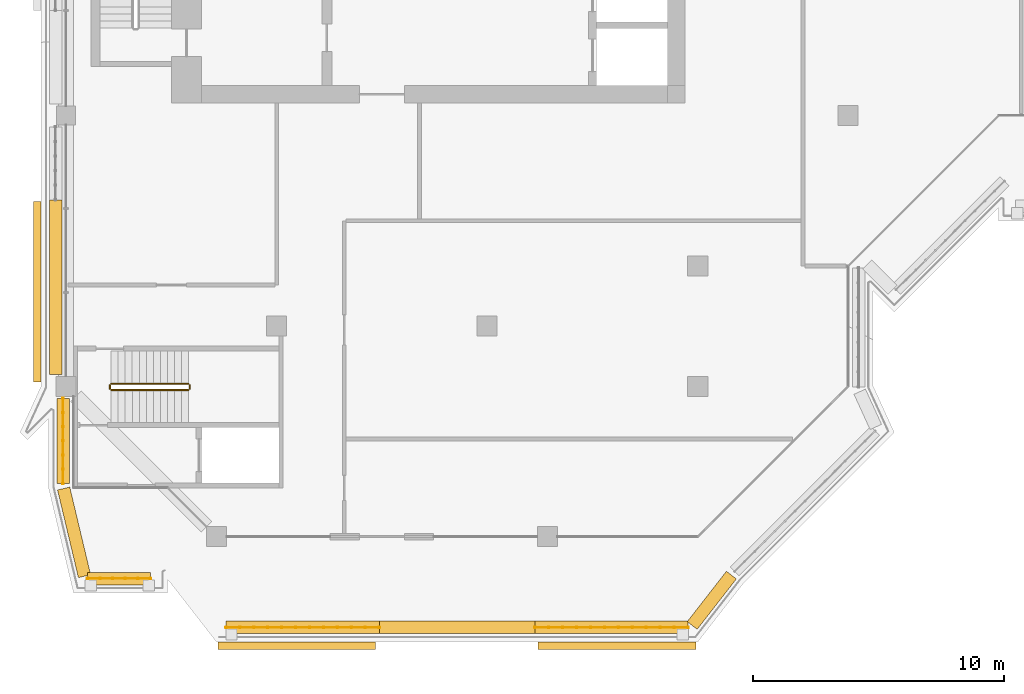
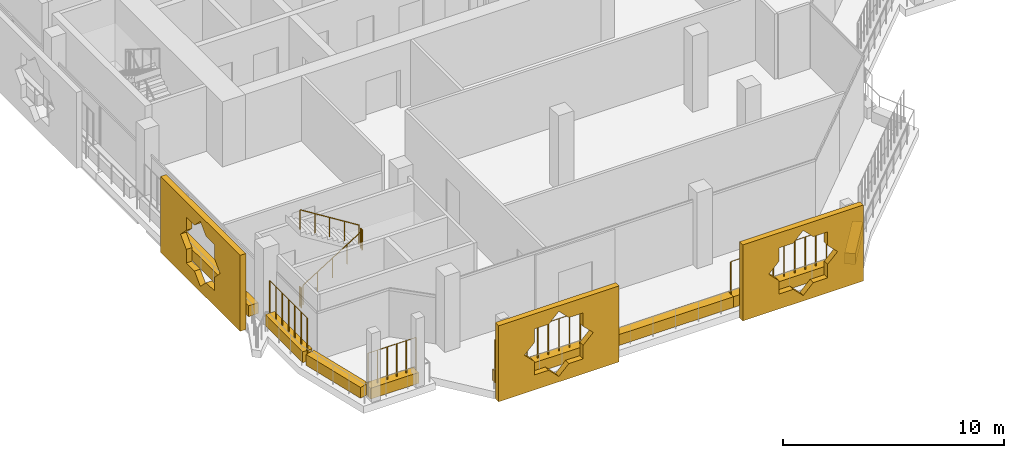
# One storey, part 15 of 21: 11 coverings, 8 railings.
"""IFC4 building model written with IfcOpenShell, lengths in metres."""

import ifcopenshell
import ifcopenshell.guid

model = None  # the IFC model being written
_history = None  # IfcOwnerHistory: only IFC2X3 demands one
_inside = {}  # id of a spatial element -> (the spatial element, [elements in it])
_under = {}  # id of a project, library or spatial element -> (it, [spatial elements below it])
_declared = {}  # id of a project -> (the project, [libraries it declares])
_typed = {}  # id of a type object -> (the type object, [elements of that type])
_made_of = {}  # id of a material, layer set ... -> (it, [elements and type objects made of it])


def new_model(schema):
    """Start an empty IFC model of exactly this schema.

    Asked for "IFC4X3", IfcOpenShell would pick the latest addendum, in which some entities
    have other attributes; the version numbers below select the first issue.
    IFC2X3 requires an IfcOwnerHistory on every rooted entity: one is made here for all.
    """
    global model, _history
    if schema == "IFC4X3":
        model = ifcopenshell.file(schema_version=(4, 3, 0, 0))
    else:
        model = ifcopenshell.file(schema=schema)
    _inside.clear()
    _under.clear()
    _declared.clear()
    _typed.clear()
    _made_of.clear()
    _history = None
    if model.schema == "IFC2X3":
        org = make("IfcOrganization", Name="unknown")
        user = make(
            "IfcPersonAndOrganization",
            ThePerson=make("IfcPerson", FamilyName="unknown"),
            TheOrganization=org,
        )
        app = make(
            "IfcApplication",
            ApplicationDeveloper=org,
            Version="unknown",
            ApplicationFullName="unknown",
            ApplicationIdentifier="unknown",
        )
        _history = make(
            "IfcOwnerHistory",
            OwningUser=user,
            OwningApplication=app,
            ChangeAction="ADDED",
            CreationDate=0,
        )
    return model


def make(cls, **values):
    """One entity of the class cls with the attributes given. An attribute that is None is left unset."""
    return model.create_entity(
        cls, **{name: value for name, value in values.items() if value is not None}
    )


def rooted(cls, **values):
    """An entity with a GlobalId (a new one), such as an element, a storey or a relation."""
    return make(cls, GlobalId=ifcopenshell.guid.new(), OwnerHistory=_history, **values)


def si_unit(unit_type, name, prefix=None):
    """IfcSIUnit, for example si_unit("LENGTHUNIT", "METRE", prefix="MILLI")."""
    return make("IfcSIUnit", UnitType=unit_type, Prefix=prefix, Name=name)


def assignment(units):
    """IfcUnitAssignment: the units of a project."""
    return None if units is None else make("IfcUnitAssignment", Units=units)


def point(xyz):
    """IfcCartesianPoint."""
    return None if xyz is None else make("IfcCartesianPoint", Coordinates=xyz)


def direction(xyz):
    """IfcDirection."""
    return None if xyz is None else make("IfcDirection", DirectionRatios=xyz)


def frame(location, z_axis=None, x_axis=None):
    """IfcAxis2Placement3D, a coordinate frame: its origin and axes. An axis left out is left unset."""
    return make(
        "IfcAxis2Placement3D",
        Location=point(location),
        Axis=direction(z_axis),
        RefDirection=direction(x_axis),
    )


def frame_2d(location, x_axis=None):
    """IfcAxis2Placement2D, a coordinate frame in the plane: its origin and x axis."""
    return make(
        "IfcAxis2Placement2D", Location=point(location), RefDirection=direction(x_axis)
    )


def origin():
    """The frame at (0, 0, 0) with its axes left unset."""
    return frame((0.0, 0.0, 0.0))


def origin_2d():
    """The frame at (0, 0) in the plane with its x axis left unset."""
    return frame_2d((0.0, 0.0))


def place(relative_to, where):
    """IfcLocalPlacement: puts the frame where relative to a parent placement (None: the world)."""
    return make(
        "IfcLocalPlacement", PlacementRelTo=relative_to, RelativePlacement=where
    )


def context(
    kind, dimensions, precision=None, world=None, true_north=None, identifier=None
):
    """IfcGeometricRepresentationContext, for example the 3D "Model" context."""
    return make(
        "IfcGeometricRepresentationContext",
        ContextIdentifier=identifier,
        ContextType=kind,
        CoordinateSpaceDimension=dimensions,
        Precision=precision,
        WorldCoordinateSystem=world,
        TrueNorth=true_north,
    )


def subcontext(parent, identifier, kind, view, scale=None):
    """IfcGeometricRepresentationSubContext, for example "Body" below "Model"."""
    return make(
        "IfcGeometricRepresentationSubContext",
        ContextIdentifier=identifier,
        ContextType=kind,
        ParentContext=parent,
        TargetScale=scale,
        TargetView=view,
    )


def project(units=None, contexts=None):
    """IfcProject with its units and contexts."""
    return rooted(
        "IfcProject",
        Name="project",
        RepresentationContexts=contexts,
        UnitsInContext=assignment(units),
    )


def spatial(cls, under=None, at=None, **own):
    """A site, building, storey or space (cls), placed at a placement, below another one or the project."""
    s = rooted(cls, ObjectPlacement=at, **own)
    if under is not None:
        _under.setdefault(under.id(), (under, []))[1].append(s)
    return s


def polyline(points):
    """IfcPolyline through the points."""
    return make("IfcPolyline", Points=[point(p) for p in points])


def profile(cls, at=None, kind="AREA", **sizes):
    """A parametric profile (cls). Its sizes go by their IFC names, for example OverallWidth=200.0."""
    return make(cls, ProfileType=kind, Position=at, **sizes)


def rectangle(**sizes):
    """IfcRectangleProfileDef."""
    return profile("IfcRectangleProfileDef", **sizes)


def circle(**sizes):
    """IfcCircleProfileDef."""
    return profile("IfcCircleProfileDef", **sizes)


def outline(outer, holes=None, kind="AREA"):
    """IfcArbitraryClosedProfileDef: a profile drawn as a closed curve; with holes, ...WithVoids."""
    if holes is None:
        return make("IfcArbitraryClosedProfileDef", ProfileType=kind, OuterCurve=outer)
    return make(
        "IfcArbitraryProfileDefWithVoids",
        ProfileType=kind,
        OuterCurve=outer,
        InnerCurves=holes,
    )


def extrude(swept, where, along, depth):
    """IfcExtrudedAreaSolid: the profile swept, set in the frame where, extruded along a direction by depth."""
    return make(
        "IfcExtrudedAreaSolid",
        SweptArea=swept,
        Position=where,
        ExtrudedDirection=direction(along),
        Depth=depth,
    )


def shape(context_of_items, identifier, shape_type, items):
    """IfcShapeRepresentation: the items that make up one representation, for example the "Body"."""
    return make(
        "IfcShapeRepresentation",
        ContextOfItems=context_of_items,
        RepresentationIdentifier=identifier,
        RepresentationType=shape_type,
        Items=items,
    )


def material(Name=None, Category=None):
    """IfcMaterial."""
    return make("IfcMaterial", Name=Name, Category=Category)


def material_profile(
    of_material, cross_section, Name=None, Category=None, Priority=None
):
    """IfcMaterialProfile: a cross section and its material."""
    return make(
        "IfcMaterialProfile",
        Name=Name,
        Material=of_material,
        Profile=cross_section,
        Priority=Priority,
        Category=Category,
    )


def profile_set(profiles, Name=None, composite=None):
    """IfcMaterialProfileSet."""
    return make(
        "IfcMaterialProfileSet",
        Name=Name,
        MaterialProfiles=profiles,
        CompositeProfile=composite,
    )


def made_of(thing, what):
    """Note that an element or type object is made of a material, layer set ...; save() writes the relation."""
    if what is not None:
        _made_of.setdefault(what.id(), (what, []))[1].append(thing)
    return thing


def type_object(cls, material=None, **own):
    """A type object (cls), such as IfcWallType, which elements share."""
    return made_of(rooted(cls, **own), material)


def element(
    cls,
    number,
    at=None,
    inside=None,
    cuts=None,
    type_object=None,
    material=None,
    context=None,
    identifier="Body",
    shape_type=None,
    held_by="IfcProductDefinitionShape",
    body=None,
    shapes=None,
    **own,
):
    """One element of the class cls, such as IfcWall. Its Tag is "e" and its number.

    at: its placement. inside: the storey or other place that contains it. cuts: it is an
    opening in that element (IfcRelVoidsElement). A single representation is given by context,
    identifier, shape_type and body (its items); several are given by shapes. held_by: the class
    of the entity that holds the representations. save() writes the other relations.
    """
    e = rooted(cls, Tag="e%d" % number, ObjectPlacement=at, **own)
    if body is not None:
        shapes = [shape(context, identifier, shape_type, body)]
    if shapes is not None:
        e.Representation = make(held_by, Representations=shapes)
    if inside is not None:
        _inside.setdefault(inside.id(), (inside, []))[1].append(e)
    if cuts is not None:
        rooted(
            "IfcRelVoidsElement", RelatingBuildingElement=cuts, RelatedOpeningElement=e
        )
    if type_object is not None:
        _typed.setdefault(type_object.id(), (type_object, []))[1].append(e)
    return made_of(e, material)


def aggregate(whole, parts):
    """IfcRelAggregates: a whole, such as a stair, and the parts it consists of."""
    return rooted("IfcRelAggregates", RelatingObject=whole, RelatedObjects=parts)


def save(model, path):
    """Write the relations noted so far, then the file.

    IfcRelAggregates (storeys below a building ...), IfcRelContainedInSpatialStructure (elements
    in a storey), IfcRelDefinesByType, IfcRelAssociatesMaterial and IfcRelDeclares: one each for
    every whole, place, type object, material and project.
    """
    for whole, parts in _under.values():
        aggregate(whole, parts)
    for where, things in _inside.values():
        rooted(
            "IfcRelContainedInSpatialStructure",
            RelatedElements=things,
            RelatingStructure=where,
        )
    for kind, things in _typed.values():
        rooted("IfcRelDefinesByType", RelatedObjects=things, RelatingType=kind)
    for what, things in _made_of.values():
        rooted("IfcRelAssociatesMaterial", RelatedObjects=things, RelatingMaterial=what)
    for by, libraries in _declared.values():
        rooted("IfcRelDeclares", RelatingContext=by, RelatedDefinitions=libraries)
    model.write(path)


model = new_model("IFC4")

# Units and contexts
model_context = context("Model", 3, precision=1e-05, world=origin(), true_north=direction((0.0, 1.0)))
body_context = subcontext(model_context, "Body", "Model", "MODEL_VIEW")
ifc_project = project(units=[si_unit("LENGTHUNIT", "METRE"), si_unit("AREAUNIT", "SQUARE_METRE"), si_unit("VOLUMEUNIT", "CUBIC_METRE"), si_unit("PLANEANGLEUNIT", "RADIAN"), si_unit("MASSUNIT", "GRAM", prefix="KILO")], contexts=[model_context])

# Site, building, storey
site_placement = place(None, origin())
site = spatial("IfcSite", under=ifc_project, at=site_placement, CompositionType="ELEMENT")
building_placement = place(site_placement, origin())
building = spatial("IfcBuilding", under=site, at=building_placement, Name="Kawkab Arch Medical Tower", CompositionType="ELEMENT")
storey_placement = place(building_placement, frame((0.0, 0.0, 323.800048828125)))
storey = spatial("IfcBuildingStorey", under=building, at=storey_placement, Name="L75", CompositionType="ELEMENT", Elevation=323.800048828125)

# Coverings
ifc_material_1 = material(Name="Bronze anodised aluminium mashrabiya panel, eight-point star pattern", Category="aluminium")
ifc_material_profile_1 = material_profile(ifc_material_1, outline(polyline([(-3.14990234375, -2.10009765625), (3.14990234375, -2.10009765625), (3.14990234375, 2.10009765625), (-3.14990234375, 2.10009765625), (-3.14990234375, -2.10009765625)]), holes=[polyline([(1.800048828125, 0.0), (1.272705078125, 0.527099609375), (1.272705078125, 1.272705078125), (0.527099609375, 1.272705078125), (0.0, 1.800048828125), (-0.527099609375, 1.272705078125), (-1.272705078125, 1.272705078125), (-1.272705078125, 0.527099609375), (-1.800048828125, 0.0), (-1.272705078125, -0.527099609375), (-1.272705078125, -1.272705078125), (-0.527099609375, -1.272705078125), (0.0, -1.800048828125), (0.527099609375, -1.272705078125), (1.272705078125, -1.272705078125), (1.272705078125, -0.527099609375), (1.800048828125, 0.0)])]), Name="Mashrabiya panel 6300x4200")
ifc_profile_set_1 = profile_set([ifc_material_profile_1], Name="Bronze anodised aluminium mashrabiya panel, eight-point star pattern")
covering_type_1 = type_object("IfcCoveringType", Name="Mashrabiya panel 6300 x 4200", PredefinedType="USERDEFINED", material=ifc_profile_set_1)
for number, where, z_axis, x_axis, name in (
    (1, (21.976806640625, -46.199951171875, 1.699951171875), (0.0, -1.0, 0.0), (1.0, 0.0, 0.0), "Mashrabiya panel L75.LOG-01-01.8"),
    (2, (9.203369140625, -46.199951171875, 1.699951171875), (0.0, -1.0, 0.0), (1.0, 0.0, 0.0), "Mashrabiya panel L75.LOG-01-01.9"),
):
    element("IfcCovering", number, at=place(storey_placement, frame(where, z_axis=z_axis, x_axis=x_axis)), inside=storey, type_object=covering_type_1, Name=name, ObjectType="SCREEN", PredefinedType="USERDEFINED", context=body_context, shape_type="SweptSolid", body=[
        extrude(outline(polyline([(-3.14990234375, -2.10009765625), (3.14990234375, -2.10009765625), (3.14990234375, 2.10009765625), (-3.14990234375, 2.10009765625), (-3.14990234375, -2.10009765625)]), holes=[polyline([(1.800048828125, 0.0), (1.272705078125, 0.527099609375), (1.272705078125, 1.272705078125), (0.527099609375, 1.272705078125), (0.0, 1.800048828125), (-0.527099609375, 1.272705078125), (-1.272705078125, 1.272705078125), (-1.272705078125, 0.527099609375), (-1.800048828125, 0.0), (-1.272705078125, -0.527099609375), (-1.272705078125, -1.272705078125), (-0.527099609375, -1.272705078125), (0.0, -1.800048828125), (0.527099609375, -1.272705078125), (1.272705078125, -1.272705078125), (1.272705078125, -0.527099609375), (1.800048828125, 0.0)])]), origin(), (0.0, 0.0, 1.0), 0.300048828125),
    ])
ifc_material_2 = material(Name="Bronze anodised aluminium mashrabiya panel, eight-point star pattern", Category="aluminium")
ifc_material_profile_2 = material_profile(ifc_material_2, outline(polyline([(-3.60009765625, -2.10009765625), (3.60009765625, -2.10009765625), (3.60009765625, 2.10009765625), (-3.60009765625, 2.10009765625), (-3.60009765625, -2.10009765625)]), holes=[polyline([(1.800048828125, 0.0), (1.272705078125, 0.527099609375), (1.272705078125, 1.272705078125), (0.527099609375, 1.272705078125), (0.0, 1.800048828125), (-0.527099609375, 1.272705078125), (-1.272705078125, 1.272705078125), (-1.272705078125, 0.527099609375), (-1.800048828125, 0.0), (-1.272705078125, -0.527099609375), (-1.272705078125, -1.272705078125), (-0.527099609375, -1.272705078125), (0.0, -1.800048828125), (0.527099609375, -1.272705078125), (1.272705078125, -1.272705078125), (1.272705078125, -0.527099609375), (1.800048828125, 0.0)])]), Name="Mashrabiya panel 7200x4200")
ifc_profile_set_2 = profile_set([ifc_material_profile_2], Name="Bronze anodised aluminium mashrabiya panel, eight-point star pattern")
covering_type_2 = type_object("IfcCoveringType", Name="Mashrabiya panel 7200 x 4200", PredefinedType="USERDEFINED", material=ifc_profile_set_2)
covering_1_placement = place(storey_placement, frame((-1.0, -32.231689453125, 1.699951171875), z_axis=(-1.0, 0.0, 0.0), x_axis=(0.0, -1.0, 0.0)))
element("IfcCovering", 3, at=covering_1_placement, inside=storey, type_object=covering_type_2, Name="Mashrabiya panel L75.LOG-01-01.1", ObjectType="SCREEN", PredefinedType="USERDEFINED", context=body_context, shape_type="SweptSolid", body=[
    extrude(outline(polyline([(-3.60009765625, -2.10009765625), (3.60009765625, -2.10009765625), (3.60009765625, 2.10009765625), (-3.60009765625, 2.10009765625), (-3.60009765625, -2.10009765625)]), holes=[polyline([(1.800048828125, 0.0), (1.272705078125, 0.527099609375), (1.272705078125, 1.272705078125), (0.527099609375, 1.272705078125), (0.0, 1.800048828125), (-0.527099609375, 1.272705078125), (-1.272705078125, 1.272705078125), (-1.272705078125, 0.527099609375), (-1.800048828125, 0.0), (-1.272705078125, -0.527099609375), (-1.272705078125, -1.272705078125), (-0.527099609375, -1.272705078125), (0.0, -1.800048828125), (0.527099609375, -1.272705078125), (1.272705078125, -1.272705078125), (1.272705078125, -0.527099609375), (1.800048828125, 0.0)])]), origin(), (0.0, 0.0, 1.0), 0.300048828125),
])
ifc_material_3 = material(Name="Planting soil in a precast trough", Category="concrete")
ifc_material_profile_3 = material_profile(ifc_material_3, rectangle(XDim=0.5, YDim=0.60009765625, at=origin_2d()), Name="Trough 500x600")
ifc_profile_set_3 = profile_set([ifc_material_profile_3], Name="Planting soil in a precast trough")
covering_type_3 = type_object("IfcCoveringType", Name="Planter trough 500 x 600", PredefinedType="USERDEFINED", material=ifc_profile_set_3)
covering_2_placement = place(storey_placement, frame((3.3701171875, -43.669921875, 0.300048828125), z_axis=(-1.0, 0.0, 0.0), x_axis=(0.0, -1.0, 0.0)))
element("IfcCovering", 4, at=covering_2_placement, inside=storey, type_object=covering_type_3, Name="Planter L75.LOG-01-01.1", ObjectType="PLANTER", PredefinedType="USERDEFINED", context=body_context, shape_type="SweptSolid", body=[
    extrude(rectangle(XDim=0.5, YDim=0.60009765625, at=origin_2d()), origin(), (0.0, 0.0, 1.0), 2.51220703125),
])
covering_3_placement = place(storey_placement, frame((0.735107421875, -43.572998046875, 0.300048828125), z_axis=(-0.231660349642, 0.972796732315, 0.0), x_axis=(-0.972796732315, -0.231660349642, 0.0)))
element("IfcCovering", 5, at=covering_3_placement, inside=storey, type_object=covering_type_3, Name="Planter L75.LOG-01-01.2", ObjectType="PLANTER", PredefinedType="USERDEFINED", context=body_context, shape_type="SweptSolid", body=[
    extrude(rectangle(XDim=0.5, YDim=0.60009765625, at=origin_2d()), origin(), (0.0, 0.0, 1.0), 3.591552734375),
])
covering_4_placement = place(storey_placement, frame((-0.1201171875, -39.882080078125, 0.300048828125), z_axis=(0.0, 1.0, 0.0), x_axis=(-1.0, 0.0, 0.0)))
element("IfcCovering", 6, at=covering_4_placement, inside=storey, type_object=covering_type_3, Name="Planter L75.LOG-01-01.3", ObjectType="PLANTER", PredefinedType="USERDEFINED", context=body_context, shape_type="SweptSolid", body=[
    extrude(rectangle(XDim=0.5, YDim=0.60009765625, at=origin_2d()), origin(), (0.0, 0.0, 1.0), 3.402099609375),
])
covering_5_placement = place(storey_placement, frame((-0.419921875, -35.52001953125, 0.300048828125), z_axis=(0.0, 1.0, 0.0), x_axis=(-1.0, 0.0, 0.0)))
element("IfcCovering", 7, at=covering_5_placement, inside=storey, type_object=covering_type_3, Name="Planter L75.LOG-01-01.4", ObjectType="PLANTER", PredefinedType="USERDEFINED", context=body_context, shape_type="SweptSolid", body=[
    extrude(rectangle(XDim=0.5, YDim=0.60009765625, at=origin_2d()), origin(), (0.0, 0.0, 1.0), 6.95703125),
])
covering_6_placement = place(storey_placement, frame((26.541015625, -43.531982421875, 0.300048828125), z_axis=(-0.61404021143, -0.789274742246, 0.0), x_axis=(0.789274742246, -0.61404021143, 0.0)))
element("IfcCovering", 8, at=covering_6_placement, inside=storey, type_object=covering_type_3, Name="Planter L75.LOG-01-01.34", ObjectType="PLANTER", PredefinedType="USERDEFINED", context=body_context, shape_type="SweptSolid", body=[
    extrude(rectangle(XDim=0.5, YDim=0.60009765625, at=origin_2d()), origin(), (0.0, 0.0, 1.0), 2.54541015625),
])
covering_7_placement = place(storey_placement, frame((24.81591796875, -45.6201171875, 0.300048828125), z_axis=(-1.0, 0.0, 0.0), x_axis=(0.0, -1.0, 0.0)))
element("IfcCovering", 9, at=covering_7_placement, inside=storey, type_object=covering_type_3, Name="Planter L75.LOG-01-01.35", ObjectType="PLANTER", PredefinedType="USERDEFINED", context=body_context, shape_type="SweptSolid", body=[
    extrude(rectangle(XDim=0.5, YDim=0.60009765625, at=origin_2d()), origin(), (0.0, 0.0, 1.0), 6.11083984375),
])
covering_8_placement = place(storey_placement, frame((18.705078125, -45.6201171875, 0.300048828125), z_axis=(-1.0, 0.0, 0.0), x_axis=(0.0, -1.0, 0.0)))
element("IfcCovering", 10, at=covering_8_placement, inside=storey, type_object=covering_type_3, Name="Planter L75.LOG-01-01.36", ObjectType="PLANTER", PredefinedType="USERDEFINED", context=body_context, shape_type="SweptSolid", body=[
    extrude(rectangle(XDim=0.5, YDim=0.60009765625, at=origin_2d()), origin(), (0.0, 0.0, 1.0), 6.2099609375),
])
covering_9_placement = place(storey_placement, frame((12.4951171875, -45.6201171875, 0.300048828125), z_axis=(-1.0, 0.0, 0.0), x_axis=(0.0, -1.0, 0.0)))
element("IfcCovering", 11, at=covering_9_placement, inside=storey, type_object=covering_type_3, Name="Planter L75.LOG-01-01.37", ObjectType="PLANTER", PredefinedType="USERDEFINED", context=body_context, shape_type="SweptSolid", body=[
    extrude(rectangle(XDim=0.5, YDim=0.60009765625, at=origin_2d()), origin(), (0.0, 0.0, 1.0), 6.111083984375),
])

# Railings
ifc_material_4 = material(Name="Bronze anodised aluminium trellis for climbing plants", Category="aluminium")
railing_type_1 = type_object("IfcRailingType", Name="Planting trellis 2400", PredefinedType="USERDEFINED", material=ifc_material_4)
railing_1_placement = place(storey_placement, frame((3.3701171875, -43.669921875, 0.0)))
element("IfcRailing", 12, at=railing_1_placement, inside=storey, type_object=railing_type_1, Name="Planting trellis L75.LOG-01-01.1", ObjectType="TRELLIS", PredefinedType="USERDEFINED", context=body_context, shape_type="SweptSolid", body=[
    extrude(circle(Radius=0.01513671875, at=origin_2d()), frame((0.0, 0.0, 2.384765625), z_axis=(-1.0, 0.0, 0.0), x_axis=(0.0, -1.0, 0.0)), (0.0, 0.0, 1.0), 2.51220703125),
    extrude(circle(Radius=0.030029296875, at=origin_2d()), origin(), (0.0, 0.0, 1.0), 2.369873046875),
    extrude(circle(Radius=0.030029296875, at=origin_2d()), frame((-0.50244140625, 0.0, 0.0)), (0.0, 0.0, 1.0), 2.369873046875),
    extrude(circle(Radius=0.030029296875, at=origin_2d()), frame((-1.0048828125, 0.0, 0.0)), (0.0, 0.0, 1.0), 2.369873046875),
    extrude(circle(Radius=0.030029296875, at=origin_2d()), frame((-1.50732421875, 0.0, 0.0)), (0.0, 0.0, 1.0), 2.369873046875),
    extrude(circle(Radius=0.030029296875, at=origin_2d()), frame((-2.009765625, 0.0, 0.0)), (0.0, 0.0, 1.0), 2.369873046875),
    extrude(circle(Radius=0.030029296875, at=origin_2d()), frame((-2.51220703125, 0.0, 0.0)), (0.0, 0.0, 1.0), 2.369873046875),
])
railing_2_placement = place(storey_placement, frame((-0.1201171875, -39.882080078125, 0.0)))
element("IfcRailing", 13, at=railing_2_placement, inside=storey, type_object=railing_type_1, Name="Planting trellis L75.LOG-01-01.3", ObjectType="TRELLIS", PredefinedType="USERDEFINED", context=body_context, shape_type="SweptSolid", body=[
    extrude(circle(Radius=0.01513671875, at=origin_2d()), frame((0.0, 0.0, 2.384765625), z_axis=(0.0, 1.0, 0.0), x_axis=(-1.0, 0.0, 0.0)), (0.0, 0.0, 1.0), 3.402099609375),
    extrude(circle(Radius=0.030029296875, at=origin_2d()), origin(), (0.0, 0.0, 1.0), 2.369873046875),
    extrude(circle(Radius=0.030029296875, at=origin_2d()), frame((0.0, 0.56689453125, 0.0)), (0.0, 0.0, 1.0), 2.369873046875),
    extrude(circle(Radius=0.030029296875, at=origin_2d()), frame((0.0, 1.134033203125, 0.0)), (0.0, 0.0, 1.0), 2.369873046875),
    extrude(circle(Radius=0.030029296875, at=origin_2d()), frame((0.0, 1.701171875, 0.0)), (0.0, 0.0, 1.0), 2.369873046875),
    extrude(circle(Radius=0.030029296875, at=origin_2d()), frame((0.0, 2.26806640625, 0.0)), (0.0, 0.0, 1.0), 2.369873046875),
    extrude(circle(Radius=0.030029296875, at=origin_2d()), frame((0.0, 2.8349609375, 0.0)), (0.0, 0.0, 1.0), 2.369873046875),
    extrude(circle(Radius=0.030029296875, at=origin_2d()), frame((0.0, 3.402099609375, 0.0)), (0.0, 0.0, 1.0), 2.369873046875),
])
railing_3_placement = place(storey_placement, frame((24.81591796875, -45.6201171875, 0.0)))
element("IfcRailing", 14, at=railing_3_placement, inside=storey, type_object=railing_type_1, Name="Planting trellis L75.LOG-01-01.35", ObjectType="TRELLIS", PredefinedType="USERDEFINED", context=body_context, shape_type="SweptSolid", body=[
    extrude(circle(Radius=0.01513671875, at=origin_2d()), frame((0.0, 0.0, 2.384765625), z_axis=(-1.0, 0.0, 0.0), x_axis=(0.0, -1.0, 0.0)), (0.0, 0.0, 1.0), 6.11083984375),
    extrude(circle(Radius=0.030029296875, at=origin_2d()), origin(), (0.0, 0.0, 1.0), 2.369873046875),
    extrude(circle(Radius=0.030029296875, at=origin_2d()), frame((-0.555419921875, 0.0, 0.0)), (0.0, 0.0, 1.0), 2.369873046875),
    extrude(circle(Radius=0.030029296875, at=origin_2d()), frame((-1.111083984375, 0.0, 0.0)), (0.0, 0.0, 1.0), 2.369873046875),
    extrude(circle(Radius=0.030029296875, at=origin_2d()), frame((-1.66650390625, 0.0, 0.0)), (0.0, 0.0, 1.0), 2.369873046875),
    extrude(circle(Radius=0.030029296875, at=origin_2d()), frame((-2.22216796875, 0.0, 0.0)), (0.0, 0.0, 1.0), 2.369873046875),
    extrude(circle(Radius=0.030029296875, at=origin_2d()), frame((-2.777587890625, 0.0, 0.0)), (0.0, 0.0, 1.0), 2.369873046875),
    extrude(circle(Radius=0.030029296875, at=origin_2d()), frame((-3.333251953125, 0.0, 0.0)), (0.0, 0.0, 1.0), 2.369873046875),
    extrude(circle(Radius=0.030029296875, at=origin_2d()), frame((-3.888671875, 0.0, 0.0)), (0.0, 0.0, 1.0), 2.369873046875),
    extrude(circle(Radius=0.030029296875, at=origin_2d()), frame((-4.4443359375, 0.0, 0.0)), (0.0, 0.0, 1.0), 2.369873046875),
    extrude(circle(Radius=0.030029296875, at=origin_2d()), frame((-4.999755859375, 0.0, 0.0)), (0.0, 0.0, 1.0), 2.369873046875),
    extrude(circle(Radius=0.030029296875, at=origin_2d()), frame((-5.555419921875, 0.0, 0.0)), (0.0, 0.0, 1.0), 2.369873046875),
    extrude(circle(Radius=0.030029296875, at=origin_2d()), frame((-6.11083984375, 0.0, 0.0)), (0.0, 0.0, 1.0), 2.369873046875),
])
railing_4_placement = place(storey_placement, frame((12.4951171875, -45.6201171875, 0.0)))
element("IfcRailing", 15, at=railing_4_placement, inside=storey, type_object=railing_type_1, Name="Planting trellis L75.LOG-01-01.37", ObjectType="TRELLIS", PredefinedType="USERDEFINED", context=body_context, shape_type="SweptSolid", body=[
    extrude(circle(Radius=0.01513671875, at=origin_2d()), frame((0.0, 0.0, 2.384765625), z_axis=(-1.0, 0.0, 0.0), x_axis=(0.0, -1.0, 0.0)), (0.0, 0.0, 1.0), 6.111083984375),
    extrude(circle(Radius=0.030029296875, at=origin_2d()), origin(), (0.0, 0.0, 1.0), 2.369873046875),
    extrude(circle(Radius=0.030029296875, at=origin_2d()), frame((-0.5556640625, 0.0, 0.0)), (0.0, 0.0, 1.0), 2.369873046875),
    extrude(circle(Radius=0.030029296875, at=origin_2d()), frame((-1.111083984375, 0.0, 0.0)), (0.0, 0.0, 1.0), 2.369873046875),
    extrude(circle(Radius=0.030029296875, at=origin_2d()), frame((-1.666748046875, 0.0, 0.0)), (0.0, 0.0, 1.0), 2.369873046875),
    extrude(circle(Radius=0.030029296875, at=origin_2d()), frame((-2.22216796875, 0.0, 0.0)), (0.0, 0.0, 1.0), 2.369873046875),
    extrude(circle(Radius=0.030029296875, at=origin_2d()), frame((-2.77783203125, 0.0, 0.0)), (0.0, 0.0, 1.0), 2.369873046875),
    extrude(circle(Radius=0.030029296875, at=origin_2d()), frame((-3.333251953125, 0.0, 0.0)), (0.0, 0.0, 1.0), 2.369873046875),
    extrude(circle(Radius=0.030029296875, at=origin_2d()), frame((-3.888916015625, 0.0, 0.0)), (0.0, 0.0, 1.0), 2.369873046875),
    extrude(circle(Radius=0.030029296875, at=origin_2d()), frame((-4.4443359375, 0.0, 0.0)), (0.0, 0.0, 1.0), 2.369873046875),
    extrude(circle(Radius=0.030029296875, at=origin_2d()), frame((-5.0, 0.0, 0.0)), (0.0, 0.0, 1.0), 2.369873046875),
    extrude(circle(Radius=0.030029296875, at=origin_2d()), frame((-5.555419921875, 0.0, 0.0)), (0.0, 0.0, 1.0), 2.369873046875),
    extrude(circle(Radius=0.030029296875, at=origin_2d()), frame((-6.111083984375, 0.0, 0.0)), (0.0, 0.0, 1.0), 2.369873046875),
])
ifc_material_5 = material(Name="Stainless steel", Category="steel")
railing_type_2 = type_object("IfcRailingType", Name="Stair guard 1100", PredefinedType="GUARDRAIL", material=ifc_material_5)
railing_5_placement = place(storey_placement, frame((1.800048828125, -36.14990234375, 0.175048828125)))
element("IfcRailing", 16, at=railing_5_placement, inside=storey, type_object=railing_type_2, Name="L75 ST6 stair guard 1", PredefinedType="GUARDRAIL", context=body_context, shape_type="SweptSolid", body=[
    extrude(circle(Radius=0.02392578125, at=origin_2d()), frame((0.0, 0.0, 1.076171875), z_axis=(0.848009633417, 0.0, 0.529980812513), x_axis=(0.0, 1.0, 0.0)), (0.0, 0.0, 1.0), 3.6318359375),
    extrude(circle(Radius=0.02099609375, at=origin_2d()), origin(), (0.0, 0.0, 1.0), 1.052001953125),
    extrude(circle(Radius=0.02099609375, at=origin_2d()), frame((0.77001953125, 0.0, 0.481201171875)), (0.0, 0.0, 1.0), 1.052001953125),
    extrude(circle(Radius=0.02099609375, at=origin_2d()), frame((1.5400390625, 0.0, 0.96240234375)), (0.0, 0.0, 1.0), 1.052001953125),
    extrude(circle(Radius=0.02099609375, at=origin_2d()), frame((2.309814453125, 0.0, 1.443603515625)), (0.0, 0.0, 1.0), 1.052001953125),
    extrude(circle(Radius=0.02099609375, at=origin_2d()), frame((3.079833984375, 0.0, 1.9248046875)), (0.0, 0.0, 1.0), 1.052001953125),
])
railing_6_placement = place(storey_placement, frame((4.929931640625, -36.10009765625, 2.099853515625)))
element("IfcRailing", 17, at=railing_6_placement, inside=storey, type_object=railing_type_2, Name="L75 ST6 stair guard 2", PredefinedType="GUARDRAIL", context=body_context, shape_type="SweptSolid", body=[
    extrude(circle(Radius=0.02392578125, at=origin_2d()), frame((0.0, 0.0, 1.076171875), z_axis=(0.0, 1.0, 0.0), x_axis=(-1.0, 0.0, 0.0)), (0.0, 0.0, 1.0), 0.150146484375),
    extrude(circle(Radius=0.02099609375, at=origin_2d()), origin(), (0.0, 0.0, 1.0), 1.052001953125),
    extrude(circle(Radius=0.02099609375, at=origin_2d()), frame((0.0, 0.150146484375, 0.0)), (0.0, 0.0, 1.0), 1.052001953125),
])
railing_7_placement = place(storey_placement, frame((4.8798828125, -35.89990234375, 2.27490234375)))
element("IfcRailing", 18, at=railing_7_placement, inside=storey, type_object=railing_type_2, Name="L75 ST6 stair guard 3", PredefinedType="GUARDRAIL", context=body_context, shape_type="SweptSolid", body=[
    extrude(circle(Radius=0.02392578125, at=origin_2d()), frame((0.0, 0.0, 1.076171875), z_axis=(-0.847979421464, 0.0, 0.530029150871), x_axis=(0.0, -1.0, 0.0)), (0.0, 0.0, 1.0), 3.632080078125),
    extrude(circle(Radius=0.02099609375, at=origin_2d()), origin(), (0.0, 0.0, 1.0), 1.052001953125),
    extrude(circle(Radius=0.02099609375, at=origin_2d()), frame((-0.77001953125, 0.0, 0.481201171875)), (0.0, 0.0, 1.0), 1.052001953125),
    extrude(circle(Radius=0.02099609375, at=origin_2d()), frame((-1.5400390625, 0.0, 0.96240234375)), (0.0, 0.0, 1.0), 1.052001953125),
    extrude(circle(Radius=0.02099609375, at=origin_2d()), frame((-2.309814453125, 0.0, 1.44384765625)), (0.0, 0.0, 1.0), 1.052001953125),
    extrude(circle(Radius=0.02099609375, at=origin_2d()), frame((-3.079833984375, 0.0, 1.925048828125)), (0.0, 0.0, 1.0), 1.052001953125),
])
railing_8_placement = place(storey_placement, frame((1.75, -36.10009765625, 0.0)))
element("IfcRailing", 19, at=railing_8_placement, inside=storey, type_object=railing_type_2, Name="L75 ST6 stair guard 4", PredefinedType="GUARDRAIL", context=body_context, shape_type="SweptSolid", body=[
    extrude(circle(Radius=0.02392578125, at=origin_2d()), frame((0.0, 0.0, 1.076171875), z_axis=(0.0, 1.0, 0.0), x_axis=(-1.0, 0.0, 0.0)), (0.0, 0.0, 1.0), 0.150146484375),
    extrude(circle(Radius=0.02099609375, at=origin_2d()), origin(), (0.0, 0.0, 1.0), 1.052001953125),
    extrude(circle(Radius=0.02099609375, at=origin_2d()), frame((0.0, 0.150146484375, 0.0)), (0.0, 0.0, 1.0), 1.052001953125),
])

save(model, "model.ifc")
